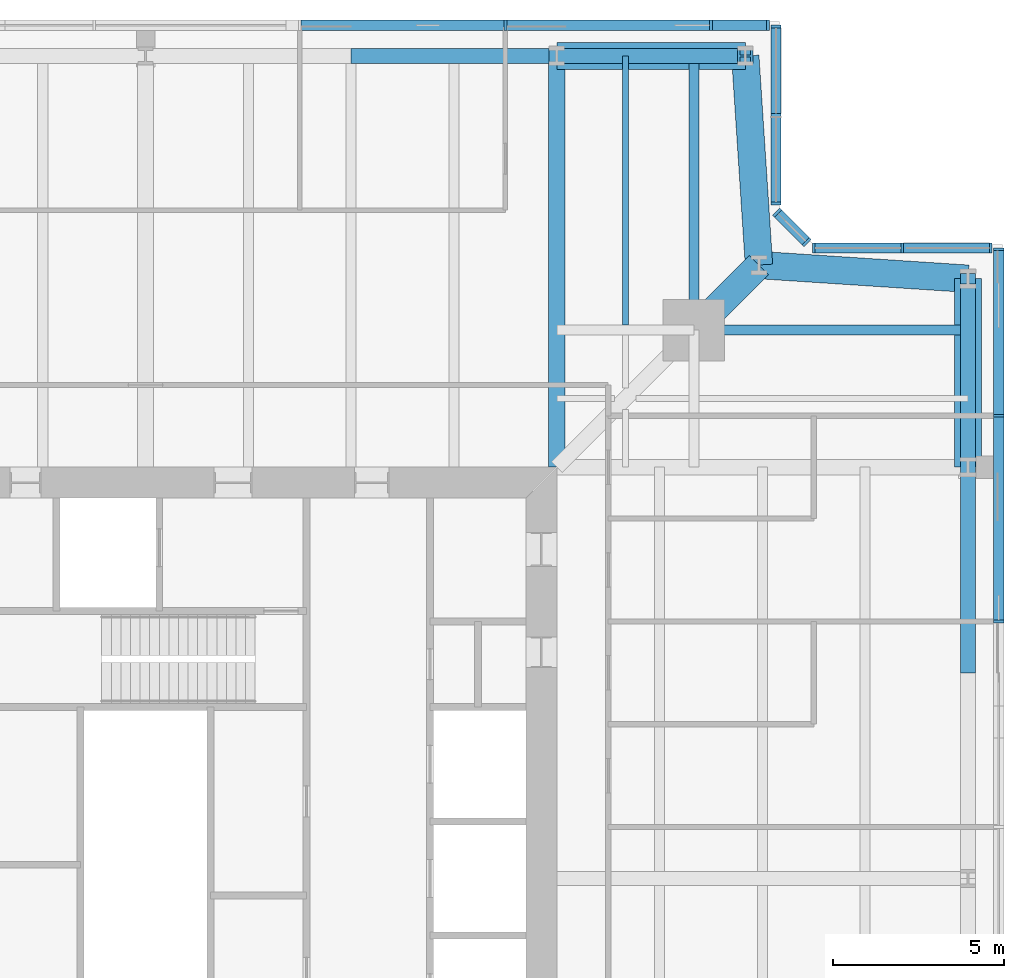
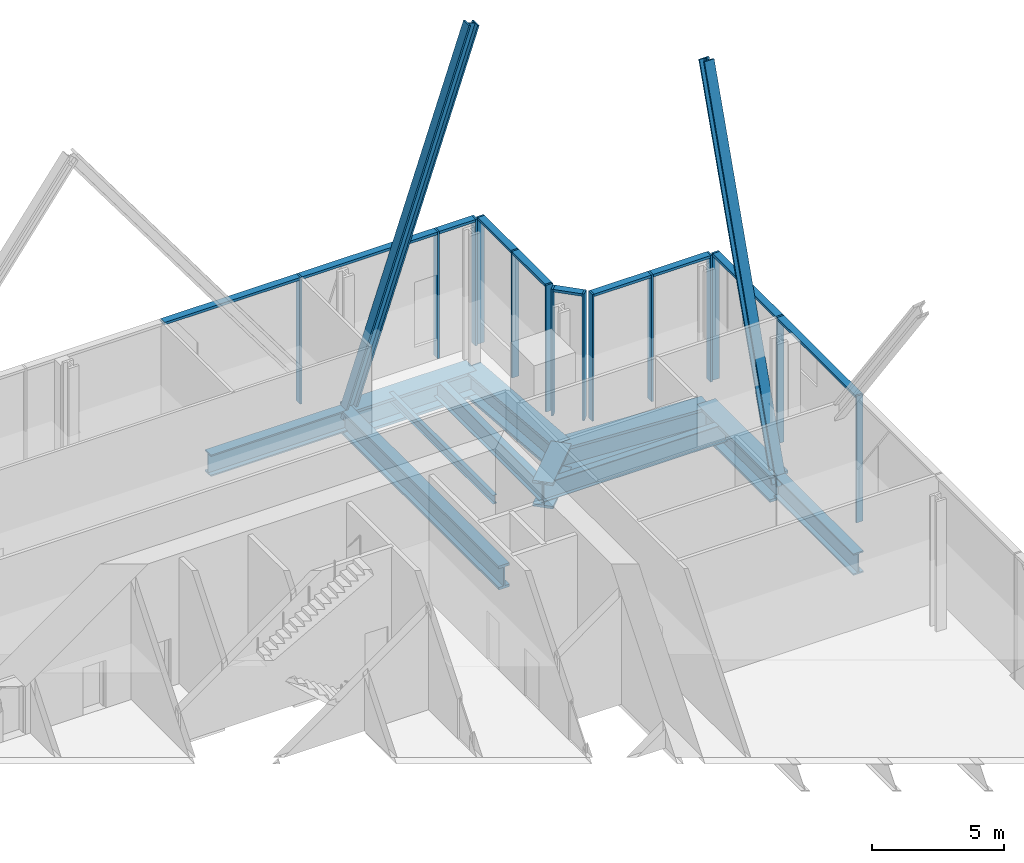
# One storey, part 6 of 20: 26 members, 11 beams, 5 elements without a shape of their own.
"""IFC4 building model written with IfcOpenShell, lengths in metres."""

from ifc_helpers import new_model, si_unit, direction, frame, origin, origin_2d, place, context, subcontext, project, spatial, rectangle, i_section, extrude, material, material_profile, profile_set, type_object, element, aggregate, save


model = new_model("IFC4")

# Units and contexts
model_context = context("Model", 3, precision=1e-05, world=origin(), true_north=direction((0.0, 1.0)))
body_context = subcontext(model_context, "Body", "Model", "MODEL_VIEW")
ifc_project = project(units=[si_unit("LENGTHUNIT", "METRE"), si_unit("AREAUNIT", "SQUARE_METRE"), si_unit("VOLUMEUNIT", "CUBIC_METRE"), si_unit("PLANEANGLEUNIT", "RADIAN"), si_unit("MASSUNIT", "GRAM", prefix="KILO")], contexts=[model_context])

# Site, building, storey
site_placement = place(None, origin())
site = spatial("IfcSite", under=ifc_project, at=site_placement, CompositionType="ELEMENT")
building_placement = place(site_placement, origin())
building = spatial("IfcBuilding", under=site, at=building_placement, Name="Fenwick Lantern Interchange", CompositionType="ELEMENT")
storey_placement = place(building_placement, frame((0.0, 0.0, 239.800048828125)))
storey = spatial("IfcBuildingStorey", under=building, at=storey_placement, Name="L56", CompositionType="ELEMENT", Elevation=239.800048828125)

# Members
ifc_material_1 = material(Name="Steel ASTM A992 Grade 50", Category="steel")
ifc_material_profile_1 = material_profile(ifc_material_1, i_section(OverallWidth=0.424072265625, OverallDepth=0.47509765625, WebThickness=0.0478515625, FlangeThickness=0.0771484375, at=origin_2d()), Name="W14X426")
ifc_profile_set_1 = profile_set([ifc_material_profile_1], Name="Steel ASTM A992 Grade 50")
member_type_1 = type_object("IfcMemberType", Name="FACADE BRACE W14X426", PredefinedType="BRACE", material=ifc_profile_set_1)
for number, where, z_axis, x_axis, name in (
    (1, (49.0, 37.0, -0.696533203125), (0.0, 0.31988030157, 0.947457963536), (-1.0, 0.0, 0.0), "L56/FB/E/BE"),
    (2, (37.0, 49.0, -0.696533203125), (0.31988030157, 0.0, 0.947457963536), (0.0, 1.0, 0.0), "L56/FB/N/AE"),
):
    element("IfcMember", number, at=place(storey_placement, frame(where, z_axis=z_axis, x_axis=x_axis)), inside=storey, type_object=member_type_1, Name=name, PredefinedType="BRACE", context=body_context, shape_type="SweptSolid", body=[
        extrude(i_section(OverallWidth=0.424072265625, OverallDepth=0.47509765625, WebThickness=0.0478515625, FlangeThickness=0.0771484375, at=origin_2d()), origin(), (0.0, 0.0, 1.0), 17.19384765625),
    ])

# Beams
ifc_material_profile_2 = material_profile(ifc_material_1, i_section(OverallWidth=0.177734375, OverallDepth=0.406494140625, WebThickness=0.0078125, FlangeThickness=0.012939453125, at=origin_2d()), Name="W16X40")
ifc_profile_set_2 = profile_set([ifc_material_profile_2], Name="Steel ASTM A992 Grade 50")
beam_type_1 = type_object("IfcBeamType", Name="INFILL BEAM W16X40", PredefinedType="JOIST", material=ifc_profile_set_2)
beam_1_placement = place(storey_placement, frame((39.0, 49.0, -0.4033203125), z_axis=(0.0, -1.0, 0.0), x_axis=(1.0, 0.0, 0.0)))
element("IfcBeam", 3, at=beam_1_placement, inside=storey, type_object=beam_type_1, Name="L56/FR/N/J1", PredefinedType="JOIST", context=body_context, shape_type="SweptSolid", body=[
    extrude(i_section(OverallWidth=0.177734375, OverallDepth=0.406494140625, WebThickness=0.0078125, FlangeThickness=0.012939453125, at=origin_2d()), origin(), (0.0, 0.0, 1.0), 7.85400390625),
])
ifc_material_profile_3 = material_profile(ifc_material_1, i_section(OverallWidth=0.2919921875, OverallDepth=0.845703125, WebThickness=0.015380859375, FlangeThickness=0.0244140625, at=origin_2d()), Name="W33X141")
ifc_profile_set_3 = profile_set([ifc_material_profile_3], Name="Steel ASTM A992 Grade 50")
beam_type_2 = type_object("IfcBeamType", Name="MEGA COLUMN BEAM W33X141", PredefinedType="BEAM", material=ifc_profile_set_3)
for number, where, z_axis, x_axis, name in (
    (4, (41.0, 41.0, -0.623046875), (0.0, 1.0, 0.0), (-1.0, 0.0, 0.0), "L56/FR/N/MB1"),
    (5, (41.0, 41.0, -0.623046875), (1.0, 0.0, 0.0), (0.0, 1.0, 0.0), "L56/FR/N/MB2"),
):
    element("IfcBeam", number, at=place(storey_placement, frame(where, z_axis=z_axis, x_axis=x_axis)), inside=storey, type_object=beam_type_2, Name=name, PredefinedType="BEAM", context=body_context, shape_type="SweptSolid", body=[
        extrude(i_section(OverallWidth=0.2919921875, OverallDepth=0.845703125, WebThickness=0.015380859375, FlangeThickness=0.0244140625, at=origin_2d()), origin(), (0.0, 0.0, 1.0), 8.0),
    ])
ifc_material_profile_4 = material_profile(ifc_material_1, i_section(OverallWidth=0.472412109375, OverallDepth=1.0947265625, WebThickness=0.07666015625, FlangeThickness=0.114990234375, at=origin_2d()), Name="W36X925")
ifc_profile_set_4 = profile_set([ifc_material_profile_4], Name="Steel ASTM A992 Grade 50")
beam_type_3 = type_object("IfcBeamType", Name="MOMENT-CONNECTED GIRDER W36X925", PredefinedType="BEAM", material=ifc_profile_set_4)
beam_2_placement = place(storey_placement, frame((37.0, 49.0, -0.747314453125), z_axis=(0.0, -1.0, 0.0), x_axis=(1.0, 0.0, 0.0)))
element("IfcBeam", 6, at=beam_2_placement, inside=storey, type_object=beam_type_3, Name="L56/FR/N/R01", PredefinedType="BEAM", context=body_context, shape_type="SweptSolid", body=[
    extrude(i_section(OverallWidth=0.472412109375, OverallDepth=1.0947265625, WebThickness=0.07666015625, FlangeThickness=0.114990234375, at=origin_2d()), origin(), (0.0, 0.0, 1.0), 12.0),
])
ifc_material_2 = material(Name="Steel ASTM A572 Grade 42", Category="steel")
ifc_material_profile_5 = material_profile(ifc_material_2, i_section(OverallWidth=0.800048828125, OverallDepth=1.199951171875, WebThickness=0.06005859375, FlangeThickness=0.1201171875, at=origin_2d()), Name="BU1200X800")
ifc_profile_set_5 = profile_set([ifc_material_profile_5], Name="Steel ASTM A572 Grade 42")
beam_type_4 = type_object("IfcBeamType", Name="MOMENT-CONNECTED TRANSFER GIRDER BU1200X800", PredefinedType="BEAM", material=ifc_profile_set_5)
beam_3_placement = place(storey_placement, frame((49.0, 37.0, -0.800048828125), z_axis=(0.0, 1.0, 0.0), x_axis=(-1.0, 0.0, 0.0)))
element("IfcBeam", 7, at=beam_3_placement, inside=storey, type_object=beam_type_4, Name="L56/FR/E/EB6", PredefinedType="BEAM", context=body_context, shape_type="SweptSolid", body=[
    extrude(i_section(OverallWidth=0.800048828125, OverallDepth=1.199951171875, WebThickness=0.06005859375, FlangeThickness=0.1201171875, at=origin_2d()), origin(), (0.0, 0.0, 1.0), 5.5),
])
for number, where, z_axis, x_axis, name in (
    (8, (49.0, 42.5, -0.800048828125), (-0.997858060337, 0.065416293237, 0.0), (-0.065416293237, -0.997858060337, 0.0), "L56/FR/E/EBR1"),
    (9, (42.89990234375, 42.89990234375, -0.800048828125), (-0.065416293237, 0.997858060337, 0.0), (-0.997858060337, -0.065416293237, 0.0), "L56/FR/E/EBR2"),
):
    element("IfcBeam", number, at=place(storey_placement, frame(where, z_axis=z_axis, x_axis=x_axis)), inside=storey, type_object=beam_type_4, Name=name, PredefinedType="BEAM", context=body_context, shape_type="SweptSolid", body=[
        extrude(i_section(OverallWidth=0.800048828125, OverallDepth=1.199951171875, WebThickness=0.06005859375, FlangeThickness=0.1201171875, at=origin_2d()), origin(), (0.0, 0.0, 1.0), 6.11328125),
    ])
beam_4_placement = place(storey_placement, frame((42.5, 49.0, -0.800048828125), z_axis=(-1.0, 0.0, 0.0), x_axis=(0.0, -1.0, 0.0)))
element("IfcBeam", 10, at=beam_4_placement, inside=storey, type_object=beam_type_4, Name="L56/FR/N/EB1", PredefinedType="BEAM", context=body_context, shape_type="SweptSolid", body=[
    extrude(i_section(OverallWidth=0.800048828125, OverallDepth=1.199951171875, WebThickness=0.06005859375, FlangeThickness=0.1201171875, at=origin_2d()), origin(), (0.0, 0.0, 1.0), 5.5),
])
beam_5_placement = place(storey_placement, frame((41.0, 41.0, -0.800048828125), z_axis=(0.707106781187, 0.707106781187, 0.0), x_axis=(-0.707106781187, 0.707106781187, 0.0)))
element("IfcBeam", 11, at=beam_5_placement, inside=storey, type_object=beam_type_4, Name="L56/FR/N/TG", PredefinedType="BEAM", context=body_context, shape_type="SweptSolid", body=[
    extrude(i_section(OverallWidth=0.800048828125, OverallDepth=1.199951171875, WebThickness=0.06005859375, FlangeThickness=0.1201171875, at=origin_2d()), origin(), (0.0, 0.0, 1.0), 2.686767578125),
])

# Curtain wall, members
ifc_material_3 = material(Name="Aluminium curtain wall frame", Category="aluminium")
curtain_wall_type = type_object("IfcCurtainWallType", Name="SKY LOBBY GLAZING", PredefinedType="USERDEFINED", material=ifc_material_3)
curtain_wall_1_placement = place(storey_placement, origin())
curtain_wall_1 = element("IfcCurtainWall", 12, at=curtain_wall_1_placement, inside=storey, type_object=curtain_wall_type, Name="Sky lobby glazing 05", ObjectType="SKY LOBBY GLAZING", PredefinedType="USERDEFINED")
ifc_material_4 = material(Name="Aluminium extrusion", Category="aluminium")
ifc_material_profile_6 = material_profile(ifc_material_4, rectangle(XDim=0.300048828125, YDim=0.080078125, at=origin_2d()), Name="SKY LOBBY GLAZING MULLION 80 X 300")
ifc_profile_set_6 = profile_set([ifc_material_profile_6], Name="Aluminium extrusion")
member_type_2 = type_object("IfcMemberType", Name="SKY LOBBY GLAZING MULLION 80 X 300", PredefinedType="MULLION", material=ifc_profile_set_6)
member_1_placement = place(storey_placement, frame((49.89990234375, 32.5, 0.0), z_axis=(0.0, 0.0, 1.0), x_axis=(-1.0, 0.0, 0.0)))
member_1 = element("IfcMember", 13, at=member_1_placement, type_object=member_type_2, Name="L56/CW/05/M05", PredefinedType="MULLION", context=body_context, shape_type="SweptSolid", body=[
    extrude(rectangle(XDim=0.300048828125, YDim=0.080078125, at=origin_2d()), origin(), (0.0, 0.0, 1.0), 5.849853515625),
])
member_2_placement = place(storey_placement, frame((49.89990234375, 38.5, 0.0), z_axis=(0.0, 0.0, 1.0), x_axis=(-1.0, 0.0, 0.0)))
member_2 = element("IfcMember", 14, at=member_2_placement, type_object=member_type_2, Name="L56/CW/05/M06", PredefinedType="MULLION", context=body_context, shape_type="SweptSolid", body=[
    extrude(rectangle(XDim=0.300048828125, YDim=0.080078125, at=origin_2d()), origin(), (0.0, 0.0, 1.0), 5.849853515625),
])
member_3_placement = place(storey_placement, frame((49.89990234375, 43.360107421875, 0.0), z_axis=(0.0, 0.0, 1.0), x_axis=(-1.0, 0.0, 0.0)))
member_3 = element("IfcMember", 15, at=member_3_placement, type_object=member_type_2, Name="L56/CW/05/M07", PredefinedType="MULLION", context=body_context, shape_type="SweptSolid", body=[
    extrude(rectangle(XDim=0.300048828125, YDim=0.080078125, at=origin_2d()), origin(), (0.0, 0.0, 1.0), 5.849853515625),
])

curtain_wall_2_placement = place(storey_placement, origin())
curtain_wall_2 = element("IfcCurtainWall", 16, at=curtain_wall_2_placement, inside=storey, type_object=curtain_wall_type, Name="Sky lobby glazing 06", ObjectType="SKY LOBBY GLAZING", PredefinedType="USERDEFINED")
member_4_placement = place(storey_placement, frame((49.659912109375, 43.39990234375, 0.0), z_axis=(0.0, 0.0, 1.0), x_axis=(0.0, -1.0, 0.0)))
member_4 = element("IfcMember", 17, at=member_4_placement, type_object=member_type_2, Name="L56/CW/06/M00", PredefinedType="MULLION", context=body_context, shape_type="SweptSolid", body=[
    extrude(rectangle(XDim=0.300048828125, YDim=0.080078125, at=origin_2d()), origin(), (0.0, 0.0, 1.0), 5.849853515625),
])
member_5_placement = place(storey_placement, frame((47.079345703125, 43.39990234375, 0.0), z_axis=(0.0, 0.0, 1.0), x_axis=(0.0, -1.0, 0.0)))
member_5 = element("IfcMember", 18, at=member_5_placement, type_object=member_type_2, Name="L56/CW/06/M01", PredefinedType="MULLION", context=body_context, shape_type="SweptSolid", body=[
    extrude(rectangle(XDim=0.300048828125, YDim=0.080078125, at=origin_2d()), origin(), (0.0, 0.0, 1.0), 5.849853515625),
])
member_6_placement = place(storey_placement, frame((44.49853515625, 43.39990234375, 0.0), z_axis=(0.0, 0.0, 1.0), x_axis=(0.0, -1.0, 0.0)))
member_6 = element("IfcMember", 19, at=member_6_placement, type_object=member_type_2, Name="L56/CW/06/M02", PredefinedType="MULLION", context=body_context, shape_type="SweptSolid", body=[
    extrude(rectangle(XDim=0.300048828125, YDim=0.080078125, at=origin_2d()), origin(), (0.0, 0.0, 1.0), 5.849853515625),
])

curtain_wall_3_placement = place(storey_placement, origin())
curtain_wall_3 = element("IfcCurtainWall", 20, at=curtain_wall_3_placement, inside=storey, type_object=curtain_wall_type, Name="Sky lobby glazing 07", ObjectType="SKY LOBBY GLAZING", PredefinedType="USERDEFINED")
member_7_placement = place(storey_placement, frame((44.288818359375, 43.56982421875, 0.0), z_axis=(0.0, 0.0, 1.0), x_axis=(-0.707106781187, -0.707106781187, 0.0)))
member_7 = element("IfcMember", 21, at=member_7_placement, type_object=member_type_2, Name="L56/CW/07/M00", PredefinedType="MULLION", context=body_context, shape_type="SweptSolid", body=[
    extrude(rectangle(XDim=0.300048828125, YDim=0.080078125, at=origin_2d()), origin(), (0.0, 0.0, 1.0), 5.849853515625),
])
member_8_placement = place(storey_placement, frame((43.42822265625, 44.43017578125, 0.0), z_axis=(0.0, 0.0, 1.0), x_axis=(-0.707106781187, -0.707106781187, 0.0)))
member_8 = element("IfcMember", 22, at=member_8_placement, type_object=member_type_2, Name="L56/CW/07/M01", PredefinedType="MULLION", context=body_context, shape_type="SweptSolid", body=[
    extrude(rectangle(XDim=0.300048828125, YDim=0.080078125, at=origin_2d()), origin(), (0.0, 0.0, 1.0), 5.849853515625),
])

curtain_wall_4_placement = place(storey_placement, origin())
curtain_wall_4 = element("IfcCurtainWall", 23, at=curtain_wall_4_placement, inside=storey, type_object=curtain_wall_type, Name="Sky lobby glazing 08", ObjectType="SKY LOBBY GLAZING", PredefinedType="USERDEFINED")
member_9_placement = place(storey_placement, frame((43.39990234375, 44.698486328125, 0.0), z_axis=(0.0, 0.0, 1.0), x_axis=(-1.0, 0.0, 0.0)))
member_9 = element("IfcMember", 24, at=member_9_placement, type_object=member_type_2, Name="L56/CW/08/M00", PredefinedType="MULLION", context=body_context, shape_type="SweptSolid", body=[
    extrude(rectangle(XDim=0.300048828125, YDim=0.080078125, at=origin_2d()), origin(), (0.0, 0.0, 1.0), 5.849853515625),
])
member_10_placement = place(storey_placement, frame((43.39990234375, 47.279296875, 0.0), z_axis=(0.0, 0.0, 1.0), x_axis=(-1.0, 0.0, 0.0)))
member_10 = element("IfcMember", 25, at=member_10_placement, type_object=member_type_2, Name="L56/CW/08/M01", PredefinedType="MULLION", context=body_context, shape_type="SweptSolid", body=[
    extrude(rectangle(XDim=0.300048828125, YDim=0.080078125, at=origin_2d()), origin(), (0.0, 0.0, 1.0), 5.849853515625),
])
member_11_placement = place(storey_placement, frame((43.39990234375, 49.860107421875, 0.0), z_axis=(0.0, 0.0, 1.0), x_axis=(-1.0, 0.0, 0.0)))
member_11 = element("IfcMember", 26, at=member_11_placement, type_object=member_type_2, Name="L56/CW/08/M02", PredefinedType="MULLION", context=body_context, shape_type="SweptSolid", body=[
    extrude(rectangle(XDim=0.300048828125, YDim=0.080078125, at=origin_2d()), origin(), (0.0, 0.0, 1.0), 5.849853515625),
])

curtain_wall_5_placement = place(storey_placement, origin())
curtain_wall_5 = element("IfcCurtainWall", 27, at=curtain_wall_5_placement, inside=storey, type_object=curtain_wall_type, Name="Sky lobby glazing 09", ObjectType="SKY LOBBY GLAZING", PredefinedType="USERDEFINED")
member_12_placement = place(storey_placement, frame((43.159912109375, 49.89990234375, 0.0), z_axis=(0.0, 0.0, 1.0), x_axis=(0.0, -1.0, 0.0)))
member_12 = element("IfcMember", 28, at=member_12_placement, type_object=member_type_2, Name="L56/CW/09/M00", PredefinedType="MULLION", context=body_context, shape_type="SweptSolid", body=[
    extrude(rectangle(XDim=0.300048828125, YDim=0.080078125, at=origin_2d()), origin(), (0.0, 0.0, 1.0), 5.849853515625),
])
member_13_placement = place(storey_placement, frame((41.5, 49.89990234375, 0.0), z_axis=(0.0, 0.0, 1.0), x_axis=(0.0, -1.0, 0.0)))
member_13 = element("IfcMember", 29, at=member_13_placement, type_object=member_type_2, Name="L56/CW/09/M01", PredefinedType="MULLION", context=body_context, shape_type="SweptSolid", body=[
    extrude(rectangle(XDim=0.300048828125, YDim=0.080078125, at=origin_2d()), origin(), (0.0, 0.0, 1.0), 5.849853515625),
])
member_14_placement = place(storey_placement, frame((35.5, 49.89990234375, 0.0), z_axis=(0.0, 0.0, 1.0), x_axis=(0.0, -1.0, 0.0)))
member_14 = element("IfcMember", 30, at=member_14_placement, type_object=member_type_2, Name="L56/CW/09/M02", PredefinedType="MULLION", context=body_context, shape_type="SweptSolid", body=[
    extrude(rectangle(XDim=0.300048828125, YDim=0.080078125, at=origin_2d()), origin(), (0.0, 0.0, 1.0), 5.849853515625),
])

# Member
ifc_material_profile_7 = material_profile(ifc_material_4, rectangle(XDim=0.300048828125, YDim=0.1201171875, at=origin_2d()), Name="SKY LOBBY GLAZING TRANSOM 120 X 300")
ifc_profile_set_7 = profile_set([ifc_material_profile_7], Name="Aluminium extrusion")
member_type_3 = type_object("IfcMemberType", Name="SKY LOBBY GLAZING TRANSOM 120 X 300", PredefinedType="MULLION", material=ifc_profile_set_7)
member_15_placement = place(storey_placement, frame((49.89990234375, 32.5400390625, 5.7900390625), z_axis=(0.0, 1.0, 0.0), x_axis=(-1.0, 0.0, 0.0)))
member_15 = element("IfcMember", 31, at=member_15_placement, type_object=member_type_3, Name="L56/CW/05/T05", PredefinedType="MULLION", context=body_context, shape_type="SweptSolid", body=[
    extrude(rectangle(XDim=0.300048828125, YDim=0.1201171875, at=origin_2d()), origin(), (0.0, 0.0, 1.0), 5.919921875),
])

member_16_placement = place(storey_placement, frame((49.89990234375, 38.5400390625, 5.7900390625), z_axis=(0.0, 1.0, 0.0), x_axis=(-1.0, 0.0, 0.0)))
member_16 = element("IfcMember", 32, at=member_16_placement, type_object=member_type_3, Name="L56/CW/05/T06", PredefinedType="MULLION", context=body_context, shape_type="SweptSolid", body=[
    extrude(rectangle(XDim=0.300048828125, YDim=0.1201171875, at=origin_2d()), origin(), (0.0, 0.0, 1.0), 4.780029296875),
])

aggregate(curtain_wall_1, [member_1, member_2, member_3, member_15, member_16])

member_17_placement = place(storey_placement, frame((49.6201171875, 43.39990234375, 5.7900390625), z_axis=(-1.0, 0.0, 0.0), x_axis=(0.0, -1.0, 0.0)))
member_17 = element("IfcMember", 33, at=member_17_placement, type_object=member_type_3, Name="L56/CW/06/T00", PredefinedType="MULLION", context=body_context, shape_type="SweptSolid", body=[
    extrude(rectangle(XDim=0.300048828125, YDim=0.1201171875, at=origin_2d()), origin(), (0.0, 0.0, 1.0), 2.500732421875),
])

member_18_placement = place(storey_placement, frame((47.039306640625, 43.39990234375, 5.7900390625), z_axis=(-1.0, 0.0, 0.0), x_axis=(0.0, -1.0, 0.0)))
member_18 = element("IfcMember", 34, at=member_18_placement, type_object=member_type_3, Name="L56/CW/06/T01", PredefinedType="MULLION", context=body_context, shape_type="SweptSolid", body=[
    extrude(rectangle(XDim=0.300048828125, YDim=0.1201171875, at=origin_2d()), origin(), (0.0, 0.0, 1.0), 2.500732421875),
])

aggregate(curtain_wall_2, [member_4, member_5, member_6, member_17, member_18])

member_19_placement = place(storey_placement, frame((44.260498046875, 43.597900390625, 5.7900390625), z_axis=(-0.706999424203, 0.707214121873, 0.0), x_axis=(-0.707214121873, -0.706999424203, 0.0)))
member_19 = element("IfcMember", 35, at=member_19_placement, type_object=member_type_3, Name="L56/CW/07/T00", PredefinedType="MULLION", context=body_context, shape_type="SweptSolid", body=[
    extrude(rectangle(XDim=0.300048828125, YDim=0.1201171875, at=origin_2d()), origin(), (0.0, 0.0, 1.0), 1.13720703125),
])

aggregate(curtain_wall_3, [member_7, member_8, member_19])

member_20_placement = place(storey_placement, frame((43.39990234375, 44.738525390625, 5.7900390625), z_axis=(0.0, 1.0, 0.0), x_axis=(-1.0, 0.0, 0.0)))
member_20 = element("IfcMember", 36, at=member_20_placement, type_object=member_type_3, Name="L56/CW/08/T00", PredefinedType="MULLION", context=body_context, shape_type="SweptSolid", body=[
    extrude(rectangle(XDim=0.300048828125, YDim=0.1201171875, at=origin_2d()), origin(), (0.0, 0.0, 1.0), 2.500732421875),
])

member_21_placement = place(storey_placement, frame((43.39990234375, 47.3193359375, 5.7900390625), z_axis=(0.0, 1.0, 0.0), x_axis=(-1.0, 0.0, 0.0)))
member_21 = element("IfcMember", 37, at=member_21_placement, type_object=member_type_3, Name="L56/CW/08/T01", PredefinedType="MULLION", context=body_context, shape_type="SweptSolid", body=[
    extrude(rectangle(XDim=0.300048828125, YDim=0.1201171875, at=origin_2d()), origin(), (0.0, 0.0, 1.0), 2.500732421875),
])

aggregate(curtain_wall_4, [member_9, member_10, member_11, member_20, member_21])

member_22_placement = place(storey_placement, frame((43.1201171875, 49.89990234375, 5.7900390625), z_axis=(-1.0, 0.0, 0.0), x_axis=(0.0, -1.0, 0.0)))
member_22 = element("IfcMember", 38, at=member_22_placement, type_object=member_type_3, Name="L56/CW/09/T00", PredefinedType="MULLION", context=body_context, shape_type="SweptSolid", body=[
    extrude(rectangle(XDim=0.300048828125, YDim=0.1201171875, at=origin_2d()), origin(), (0.0, 0.0, 1.0), 1.580078125),
])

member_23_placement = place(storey_placement, frame((41.4599609375, 49.89990234375, 5.7900390625), z_axis=(-1.0, 0.0, 0.0), x_axis=(0.0, -1.0, 0.0)))
member_23 = element("IfcMember", 39, at=member_23_placement, type_object=member_type_3, Name="L56/CW/09/T01", PredefinedType="MULLION", context=body_context, shape_type="SweptSolid", body=[
    extrude(rectangle(XDim=0.300048828125, YDim=0.1201171875, at=origin_2d()), origin(), (0.0, 0.0, 1.0), 5.919921875),
])

member_24_placement = place(storey_placement, frame((35.4599609375, 49.89990234375, 5.7900390625), z_axis=(-1.0, 0.0, 0.0), x_axis=(0.0, -1.0, 0.0)))
member_24 = element("IfcMember", 40, at=member_24_placement, type_object=member_type_3, Name="L56/CW/09/T02", PredefinedType="MULLION", context=body_context, shape_type="SweptSolid", body=[
    extrude(rectangle(XDim=0.300048828125, YDim=0.1201171875, at=origin_2d()), origin(), (0.0, 0.0, 1.0), 5.919921875),
])

aggregate(curtain_wall_5, [member_12, member_13, member_14, member_22, member_23, member_24])

# Beams
ifc_material_profile_8 = material_profile(ifc_material_1, i_section(OverallWidth=0.434326171875, OverallDepth=0.9931640625, WebThickness=0.0380859375, FlangeThickness=0.06396484375, at=origin_2d()), Name="W36X487")
ifc_profile_set_8 = profile_set([ifc_material_profile_8], Name="Steel ASTM A992 Grade 50")
beam_type_5 = type_object("IfcBeamType", Name="TRUSS CHORD EDGE BEAM W36X487", PredefinedType="BEAM", material=ifc_profile_set_8)
for number, where, z_axis, x_axis, name in (
    (41, (49.0, 31.0, -0.696533203125), (0.0, 1.0, 0.0), (-1.0, 0.0, 0.0), "L56/FR/E/EB5"),
    (42, (37.0, 49.0, -0.696533203125), (-1.0, 0.0, 0.0), (0.0, -1.0, 0.0), "L56/FR/N/EB2"),
):
    element("IfcBeam", number, at=place(storey_placement, frame(where, z_axis=z_axis, x_axis=x_axis)), inside=storey, type_object=beam_type_5, Name=name, PredefinedType="BEAM", context=body_context, shape_type="SweptSolid", body=[
        extrude(i_section(OverallWidth=0.434326171875, OverallDepth=0.9931640625, WebThickness=0.0380859375, FlangeThickness=0.06396484375, at=origin_2d()), origin(), (0.0, 0.0, 1.0), 6.0),
    ])

save(model, "model.ifc")
